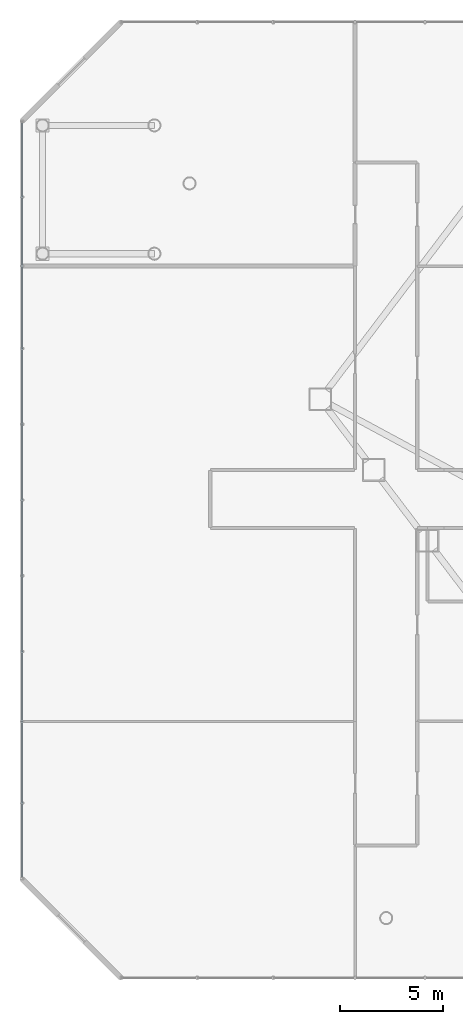
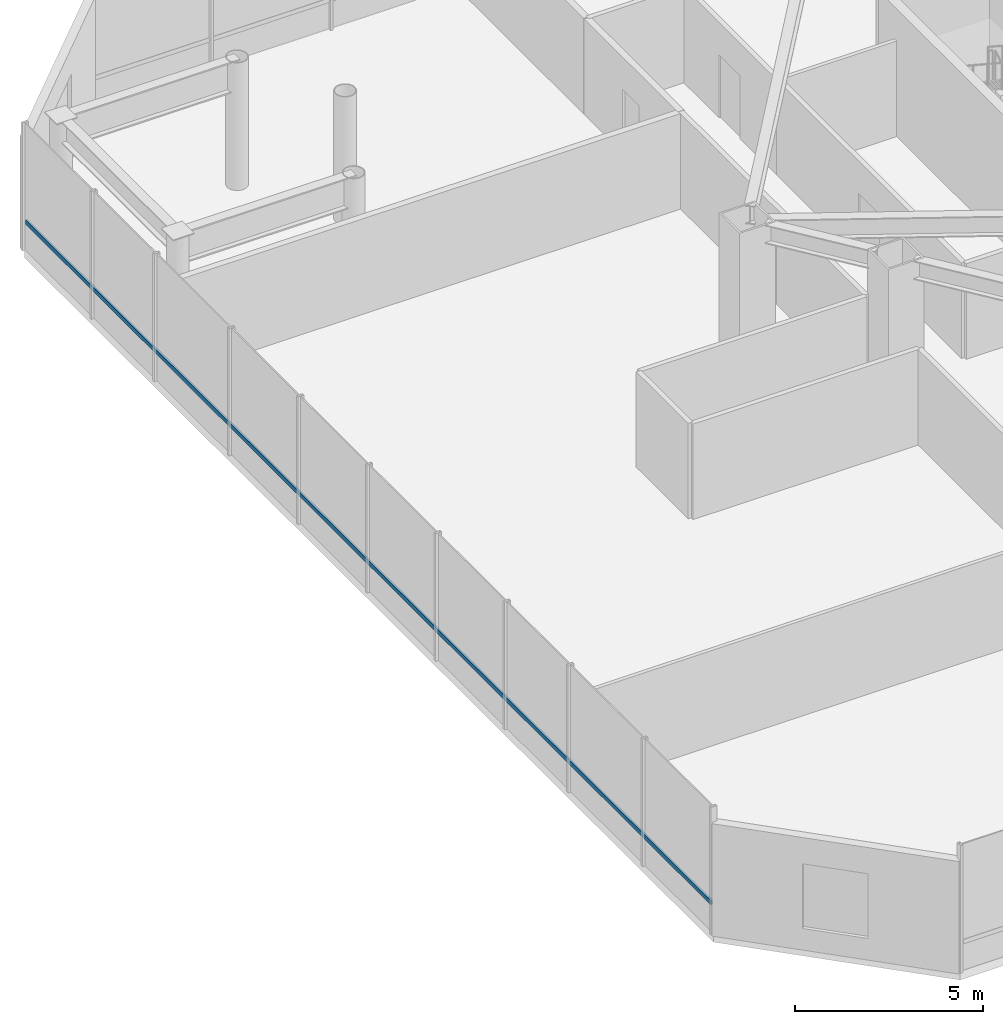
# One storey, part 8 of 37: 1 member, 1 element without a shape of its own.
"""IFC4 building model written with IfcOpenShell, lengths in metres."""

from ifc_helpers import new_model, si_unit, direction, frame, origin, origin_2d, place, context, subcontext, project, spatial, hollow_rectangle, extrude, material, layer, layer_set, material_profile, profile_set, type_object, element, aggregate, save


model = new_model("IFC4")

# Units and contexts
model_context = context("Model", 3, precision=1e-05, world=origin(), true_north=direction((0.0, 1.0)))
body_context = subcontext(model_context, "Body", "Model", "MODEL_VIEW")
ifc_project = project(units=[si_unit("LENGTHUNIT", "METRE"), si_unit("AREAUNIT", "SQUARE_METRE"), si_unit("VOLUMEUNIT", "CUBIC_METRE"), si_unit("PLANEANGLEUNIT", "RADIAN"), si_unit("MASSUNIT", "GRAM", prefix="KILO")], contexts=[model_context])

# Site, building, storey
site_placement = place(None, origin())
site = spatial("IfcSite", under=ifc_project, at=site_placement, CompositionType="ELEMENT")
building_placement = place(site_placement, origin())
building = spatial("IfcBuilding", under=site, at=building_placement, Name="Zarrinselat Tower", CompositionType="ELEMENT")
storey_placement = place(building_placement, frame((0.0, 0.0, 13.93994140625)))
storey = spatial("IfcBuildingStorey", under=building, at=storey_placement, Name="L03", CompositionType="ELEMENT", Elevation=13.93994140625)

# Curtain wall, member
ifc_material_1 = material(Name="Extruded Aluminium Alloy EN AW-6063 T6", Category="aluminium")
ifc_layer = layer(ifc_material_1, 0.2099609375)
ifc_layer_set = layer_set([ifc_layer], Name="Extruded Aluminium Alloy EN AW-6063 T6")
curtain_wall_type = type_object("IfcCurtainWallType", Name="CWS-POD", PredefinedType="NOTDEFINED", material=ifc_layer_set)
curtain_wall_placement = place(storey_placement, origin())
curtain_wall = element("IfcCurtainWall", 1, at=curtain_wall_placement, inside=storey, type_object=curtain_wall_type, Name="L03 Unitised Curtain Wall CW-L03-F7", PredefinedType="NOTDEFINED")
ifc_material_2 = material(Name="Extruded Aluminium Alloy EN AW-6063 T6", Category="aluminium")
ifc_material_profile = material_profile(ifc_material_2, hollow_rectangle(XDim=0.06005859375, YDim=0.139892578125, WallThickness=0.00390625, at=origin_2d()), Name="RHS 140x60x4")
ifc_profile_set = profile_set([ifc_material_profile], Name="Extruded Aluminium Alloy EN AW-6063 T6")
member_type = type_object("IfcMemberType", Name="MEM-CW-TRN", PredefinedType="USERDEFINED", material=ifc_profile_set)
member_placement = place(storey_placement, frame((2.39990234375, 46.909912109375, 0.949951171875), z_axis=(0.0, -1.0, 0.0), x_axis=(1.0, 0.0, 0.0)))
member = element("IfcMember", 2, at=member_placement, type_object=member_type, Name="CW-L03-F7 Transom 1", ObjectType="TRANSOM", PredefinedType="USERDEFINED", context=body_context, shape_type="SweptSolid", body=[
    extrude(hollow_rectangle(XDim=0.06005859375, YDim=0.139892578125, WallThickness=0.00390625, at=origin_2d()), origin(), (0.0, 0.0, 1.0), 36.419921875),
])
aggregate(curtain_wall, [member])

save(model, "model.ifc")
